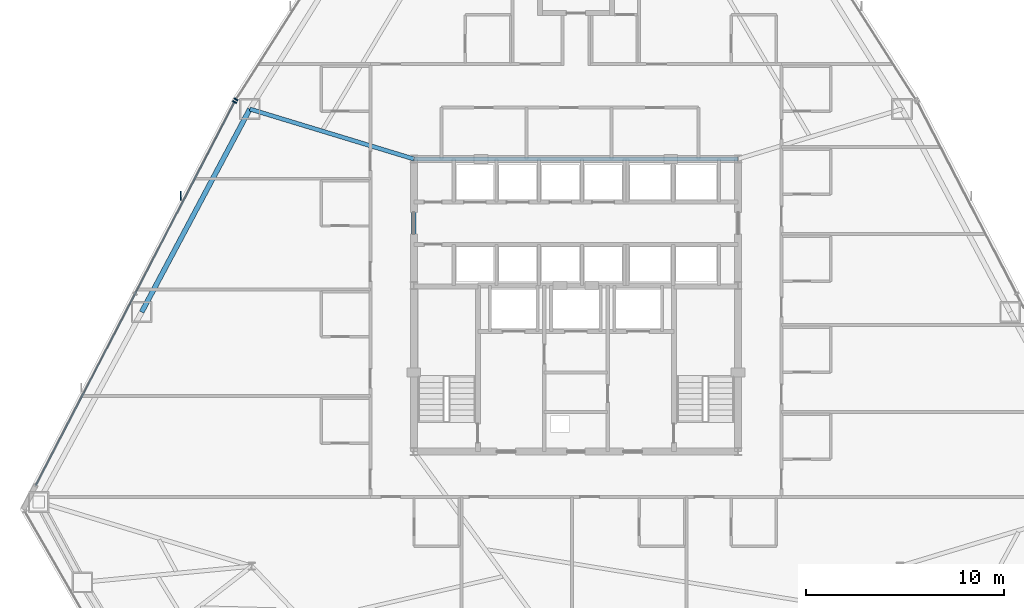
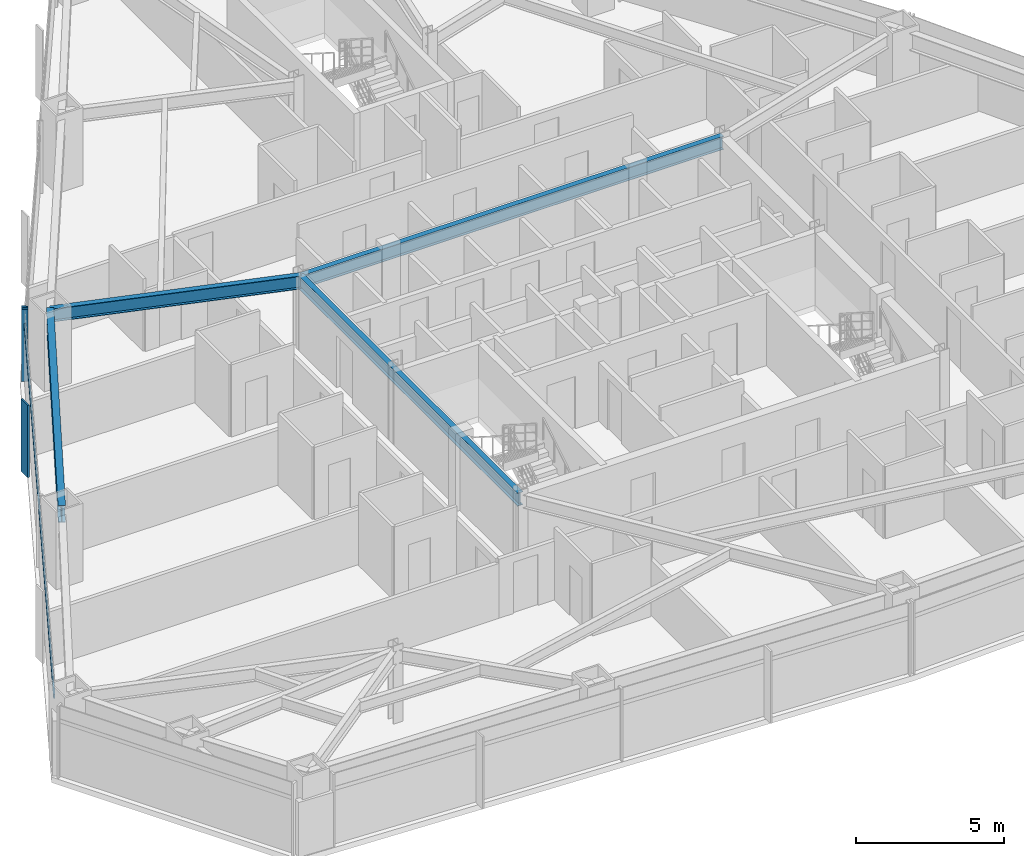
# One storey, part 5 of 13: 4 beams, 4 members, 2 elements without a shape of their own.
"""IFC4 building model written with IfcOpenShell, lengths in metres."""

from ifc_helpers import new_model, si_unit, direction, frame, origin, origin_2d, place, context, subcontext, project, spatial, rectangle, i_section, extrude, source, transform, mapped, material, layer, layer_set, material_profile, profile_set, type_object, type_shapes, element, aggregate, save


model = new_model("IFC4")

# Units and contexts
model_context = context("Model", 3, precision=1e-05, world=origin(), true_north=direction((0.0, 1.0)))
body_context = subcontext(model_context, "Body", "Model", "MODEL_VIEW")
ifc_project = project(units=[si_unit("LENGTHUNIT", "METRE"), si_unit("AREAUNIT", "SQUARE_METRE"), si_unit("VOLUMEUNIT", "CUBIC_METRE"), si_unit("PLANEANGLEUNIT", "RADIAN"), si_unit("MASSUNIT", "GRAM", prefix="KILO")], contexts=[model_context])

# Site, building, storey
site_placement = place(None, origin())
site = spatial("IfcSite", under=ifc_project, at=site_placement, CompositionType="ELEMENT")
building_placement = place(site_placement, origin())
building = spatial("IfcBuilding", under=site, at=building_placement, Name="Varakhsha Concourse Tower", CompositionType="ELEMENT")
storey_placement = place(building_placement, frame((0.0, 0.0, 86.199951171875)))
storey = spatial("IfcBuildingStorey", under=building, at=storey_placement, Name="L24", CompositionType="ELEMENT", Elevation=86.199951171875)

# Beams
ifc_material_1 = material(Name="Structural Steel ASTM A992 Grade 50", Category="steel")
ifc_material_profile_1 = material_profile(ifc_material_1, i_section(OverallWidth=0.2109375, OverallDepth=0.5390625, WebThickness=0.011962890625, FlangeThickness=0.01904296875, at=origin_2d()), Name="W21X73")
ifc_profile_set_1 = profile_set([ifc_material_profile_1], Name="Structural Steel ASTM A992 Grade 50")
beam_type_1 = type_object("IfcBeamType", Name="BM-RAD-W21X73", PredefinedType="BEAM", material=ifc_profile_set_1)
beam_1_placement = place(storey_placement, frame((31.800048828125, 31.199951171875, 2.700439453125), z_axis=(1.0, 0.0, 0.0), x_axis=(0.0, 1.0, 0.0)))
element("IfcBeam", 1, at=beam_1_placement, inside=storey, type_object=beam_type_1, Name="BM-TCORE-L24-CN", PredefinedType="BEAM", context=body_context, shape_type="SweptSolid", body=[
    extrude(i_section(OverallWidth=0.2109375, OverallDepth=0.5390625, WebThickness=0.011962890625, FlangeThickness=0.01904296875, at=origin_2d()), origin(), (0.0, 0.0, 1.0), 16.39990234375),
])
beam_2_placement = place(storey_placement, frame((31.800048828125, 16.39990234375, 2.700439453125), z_axis=(0.0, 1.0, 0.0), x_axis=(-1.0, 0.0, 0.0)))
element("IfcBeam", 2, at=beam_2_placement, inside=storey, type_object=beam_type_1, Name="BM-TCORE-L24-CW", PredefinedType="BEAM", context=body_context, shape_type="SweptSolid", body=[
    extrude(i_section(OverallWidth=0.2109375, OverallDepth=0.5390625, WebThickness=0.011962890625, FlangeThickness=0.01904296875, at=origin_2d()), origin(), (0.0, 0.0, 1.0), 14.800048828125),
])
beam_3_placement = place(storey_placement, frame((31.800048828125, 31.199951171875, 2.700439453125), z_axis=(-0.956697744709, 0.291083193036, 0.0), x_axis=(-0.291083193036, -0.956697744709, 0.0)))
element("IfcBeam", 3, at=beam_3_placement, inside=storey, type_object=beam_type_1, Name="L24 Radial Floor Girder 05", PredefinedType="BEAM", context=body_context, shape_type="SweptSolid", body=[
    extrude(i_section(OverallWidth=0.2109375, OverallDepth=0.5390625, WebThickness=0.011962890625, FlangeThickness=0.01904296875, at=origin_2d()), origin(), (0.0, 0.0, 1.0), 8.671630859375),
])
ifc_material_profile_2 = material_profile(ifc_material_1, i_section(OverallWidth=0.25390625, OverallDepth=0.701904296875, WebThickness=0.014892578125, FlangeThickness=0.028076171875, at=origin_2d()), Name="W27X129")
ifc_profile_set_2 = profile_set([ifc_material_profile_2], Name="Structural Steel ASTM A992 Grade 50")
beam_type_2 = type_object("IfcBeamType", Name="BM-SPAN-W27X129", PredefinedType="SPANDREL", material=ifc_profile_set_2)
beam_4_placement = place(storey_placement, frame((23.50390625, 33.72412109375, 2.619140625), z_axis=(-0.470161283072, -0.882580516384, 0.0), x_axis=(0.882580516384, -0.470161283072, 0.0)))
element("IfcBeam", 4, at=beam_4_placement, inside=storey, type_object=beam_type_2, Name="BM-SPAN-L24-05", PredefinedType="SPANDREL", context=body_context, shape_type="SweptSolid", body=[
    extrude(i_section(OverallWidth=0.25390625, OverallDepth=0.701904296875, WebThickness=0.014892578125, FlangeThickness=0.028076171875, at=origin_2d()), origin(), (0.0, 0.0, 1.0), 11.6357421875),
])

# Curtain wall, member
ifc_material_2 = material(Name="Anodised Bronze Architectural Aluminium AA 6063-T6", Category="aluminium")
ifc_layer = layer(ifc_material_2, 0.199951171875, Name="CW-SYS-03")
ifc_layer_set = layer_set([ifc_layer], Name="Anodised Bronze Architectural Aluminium AA 6063-T6")
curtain_wall_type = type_object("IfcCurtainWallType", Name="CW-SYS-03", PredefinedType="NOTDEFINED", material=ifc_layer_set)
curtain_wall_1_placement = place(storey_placement, origin())
curtain_wall_1 = element("IfcCurtainWall", 5, at=curtain_wall_1_placement, inside=storey, type_object=curtain_wall_type, Name="L24 Crystal Curtain Wall F2", PredefinedType="NOTDEFINED")
ifc_material_profile_3 = material_profile(ifc_material_2, rectangle(XDim=0.074951171875, YDim=0.219970703125, at=origin_2d()), Name="CWM-220X75")
ifc_profile_set_3 = profile_set([ifc_material_profile_3], Name="Anodised Bronze Architectural Aluminium AA 6063-T6")
member_type_1 = type_object("IfcMemberType", Name="CWM-220X75", PredefinedType="MULLION", material=ifc_profile_set_3)
shared_shape_1 = source(origin(), body_context, "Body", "SweptSolid", [
    extrude(rectangle(XDim=0.074951171875, YDim=0.219970703125, at=origin_2d()), origin(), (0.0, 0.0, 1.0), 2.969970703125),
])
type_shapes(member_type_1, [shared_shape_1])
member_1_placement = place(storey_placement, frame((22.805419921875, 34.211181640625, 0.0), z_axis=(0.0, 0.0, 1.0), x_axis=(0.538786958833, 0.842442053195, 0.0)))
member_1 = element("IfcMember", 6, at=member_1_placement, type_object=member_type_1, Name="CW-L24-F2 Mullion 00", PredefinedType="MULLION", context=body_context, shape_type="MappedRepresentation", body=[
    mapped(shared_shape_1, transform((0.0, 0.0, 0.0), scale=1.0)),
])
aggregate(curtain_wall_1, [member_1])

# Curtain wall, members
curtain_wall_2_placement = place(storey_placement, origin())
curtain_wall_2 = element("IfcCurtainWall", 7, at=curtain_wall_2_placement, inside=storey, type_object=curtain_wall_type, Name="L24 Crystal Curtain Wall F3", PredefinedType="NOTDEFINED")
member_2_placement = place(storey_placement, frame((22.732666015625, 34.08544921875, 0.0), z_axis=(0.0, 0.0, 1.0), x_axis=(0.460185838956, 0.887822613828, 0.0)))
member_2 = element("IfcMember", 8, at=member_2_placement, type_object=member_type_1, Name="CW-L24-F3 Mullion 02", PredefinedType="MULLION", context=body_context, shape_type="MappedRepresentation", body=[
    mapped(shared_shape_1, transform((0.0, 0.0, 0.0), scale=1.0)),
])
ifc_material_profile_4 = material_profile(ifc_material_2, rectangle(XDim=0.06494140625, YDim=0.449951171875, at=origin_2d()), Name="FIN-BRZ-450")
ifc_profile_set_4 = profile_set([ifc_material_profile_4], Name="Anodised Bronze Architectural Aluminium AA 6063-T6")
member_type_2 = type_object("IfcMemberType", Name="FIN-BRZ-450", PredefinedType="USERDEFINED", material=ifc_profile_set_4)
shared_shape_2 = source(origin(), body_context, "Body", "SweptSolid", [
    extrude(rectangle(XDim=0.06494140625, YDim=0.449951171875, at=origin_2d()), origin(), (0.0, 0.0, 1.0), 2.969970703125),
])
type_shapes(member_type_2, [shared_shape_2])
member_3_placement = place(storey_placement, frame((20.00439453125, 29.343505859375, 0.0), z_axis=(0.0, 0.0, 1.0), x_axis=(1.0, 0.0, 0.0)))
member_3 = element("IfcMember", 9, at=member_3_placement, type_object=member_type_2, Name="L24 Anodised Bronze Solar Fin F3-2", ObjectType="SOLAR FIN", PredefinedType="USERDEFINED", context=body_context, shape_type="MappedRepresentation", body=[
    mapped(shared_shape_2, transform((0.0, 0.0, 0.0), scale=1.0)),
])
ifc_material_profile_5 = material_profile(ifc_material_2, rectangle(XDim=0.06494140625, YDim=0.159912109375, at=origin_2d()), Name="CWT-160X65")
ifc_profile_set_5 = profile_set([ifc_material_profile_5], Name="Anodised Bronze Architectural Aluminium AA 6063-T6")
member_type_3 = type_object("IfcMemberType", Name="CWT-160X65", PredefinedType="USERDEFINED", material=ifc_profile_set_5)
shared_shape_3 = source(origin(), body_context, "Body", "SweptSolid", [
    extrude(rectangle(XDim=0.06494140625, YDim=0.159912109375, at=origin_2d()), origin(), (0.0, 0.0, 1.0), 21.861572265625),
])
type_shapes(member_type_3, [shared_shape_3])
member_4_placement = place(storey_placement, frame((12.672119140625, 14.67626953125, 2.320068359375), z_axis=(0.460191986848, 0.887819427159, 0.0), x_axis=(-0.887819427159, 0.460191986848, 0.0)))
member_4 = element("IfcMember", 10, at=member_4_placement, type_object=member_type_3, Name="CW-L24-F3 Transom 01", ObjectType="TRANSOM", PredefinedType="USERDEFINED", context=body_context, shape_type="MappedRepresentation", body=[
    mapped(shared_shape_3, transform((0.0, 0.0, 0.0), scale=1.0)),
])
aggregate(curtain_wall_2, [member_2, member_4, member_3])

save(model, "model.ifc")
